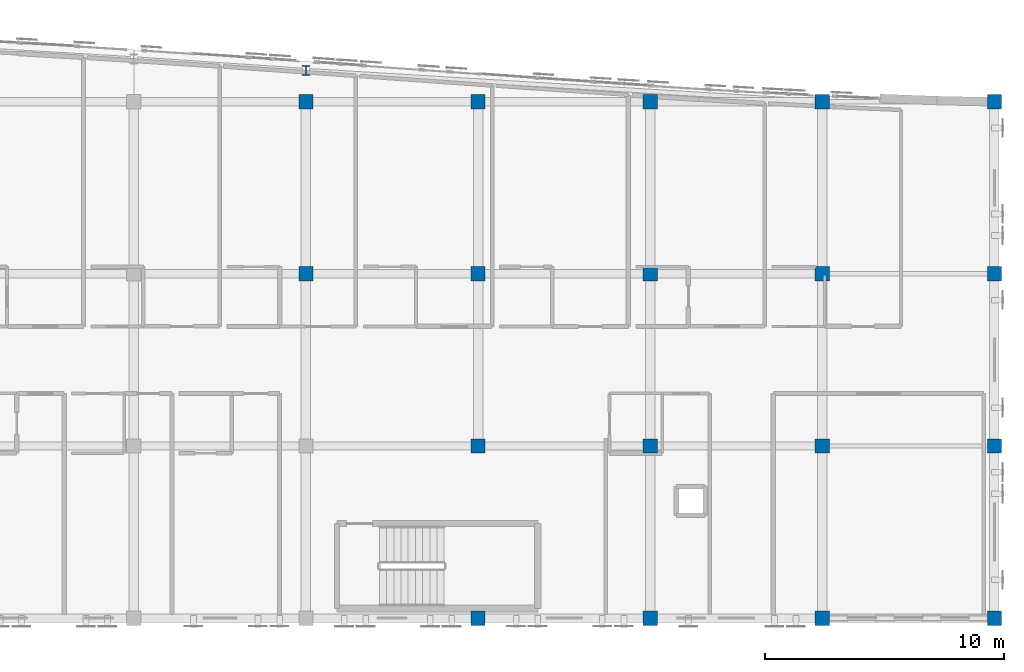
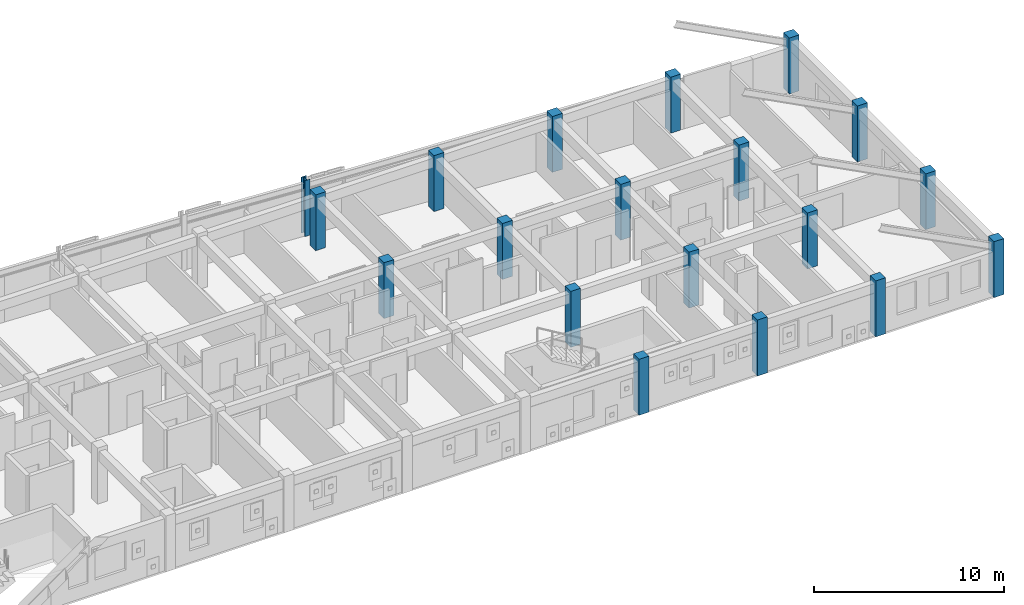
# One storey, part 4 of 51: 19 columns.
"""IFC4 building model written with IfcOpenShell, lengths in metres."""

from ifc_helpers import new_model, si_unit, direction, frame, origin, origin_2d, place, context, subcontext, project, spatial, rectangle, i_section, extrude, material, material_profile, profile_set, type_object, element, save


model = new_model("IFC4")

# Units and contexts
model_context = context("Model", 3, precision=1e-05, world=origin(), true_north=direction((0.0, 1.0)))
body_context = subcontext(model_context, "Body", "Model", "MODEL_VIEW")
ifc_project = project(units=[si_unit("LENGTHUNIT", "METRE"), si_unit("AREAUNIT", "SQUARE_METRE"), si_unit("VOLUMEUNIT", "CUBIC_METRE"), si_unit("PLANEANGLEUNIT", "RADIAN"), si_unit("MASSUNIT", "GRAM", prefix="KILO")], contexts=[model_context])

# Site, building, storey
site_placement = place(None, origin())
site = spatial("IfcSite", under=ifc_project, at=site_placement, CompositionType="ELEMENT")
building_placement = place(site_placement, origin())
building = spatial("IfcBuilding", under=site, at=building_placement, Name="Carrowvane Square Congress Hotel", CompositionType="ELEMENT")
storey_placement = place(building_placement, frame((0.0, 0.0, 30.0)))
storey = spatial("IfcBuildingStorey", under=building, at=storey_placement, Name="L07", CompositionType="ELEMENT", Elevation=30.0)

# Columns
ifc_material_1 = material(Name="Concrete C40/50", Category="concrete")
ifc_material_profile_1 = material_profile(ifc_material_1, rectangle(XDim=0.60009765625, YDim=0.60009765625, at=origin_2d()), Name="RC 600x600")
ifc_profile_set_1 = profile_set([ifc_material_profile_1], Name="Concrete C40/50")
column_type_1 = type_object("IfcColumnType", Name="COL-RC-600", PredefinedType="COLUMN", material=ifc_profile_set_1)
for number, where, z_axis, x_axis, name in (
    (1, (134.0, 106.199951171875, 0.0), (0.0, 0.0, 1.0), (1.0, 0.0, 0.0), "L07 column 18/Q"),
    (2, (134.0, 113.39990234375, 0.0), (0.0, 0.0, 1.0), (1.0, 0.0, 0.0), "L07 column 18/R"),
    (3, (141.199951171875, 91.800048828125, 0.0), (0.0, 0.0, 1.0), (1.0, 0.0, 0.0), "L07 column 19/N"),
    (4, (141.199951171875, 99.0, 0.0), (0.0, 0.0, 1.0), (1.0, 0.0, 0.0), "L07 column 19/P"),
    (5, (141.199951171875, 106.199951171875, 0.0), (0.0, 0.0, 1.0), (1.0, 0.0, 0.0), "L07 column 19/Q"),
    (6, (141.199951171875, 113.39990234375, 0.0), (0.0, 0.0, 1.0), (1.0, 0.0, 0.0), "L07 column 19/R"),
    (7, (148.39990234375, 91.800048828125, 0.0), (0.0, 0.0, 1.0), (1.0, 0.0, 0.0), "L07 column 20/N"),
    (8, (148.39990234375, 99.0, 0.0), (0.0, 0.0, 1.0), (1.0, 0.0, 0.0), "L07 column 20/P"),
    (9, (148.39990234375, 106.199951171875, 0.0), (0.0, 0.0, 1.0), (1.0, 0.0, 0.0), "L07 column 20/Q"),
    (10, (148.39990234375, 113.39990234375, 0.0), (0.0, 0.0, 1.0), (1.0, 0.0, 0.0), "L07 column 20/R"),
    (11, (155.60009765625, 91.800048828125, 0.0), (0.0, 0.0, 1.0), (1.0, 0.0, 0.0), "L07 column 21/N"),
    (12, (155.60009765625, 99.0, 0.0), (0.0, 0.0, 1.0), (1.0, 0.0, 0.0), "L07 column 21/P"),
    (13, (155.60009765625, 106.199951171875, 0.0), (0.0, 0.0, 1.0), (1.0, 0.0, 0.0), "L07 column 21/Q"),
    (14, (155.60009765625, 113.39990234375, 0.0), (0.0, 0.0, 1.0), (1.0, 0.0, 0.0), "L07 column 21/R"),
    (15, (162.800048828125, 91.800048828125, 0.0), (0.0, 0.0, 1.0), (1.0, 0.0, 0.0), "L07 column 22/N"),
    (16, (162.800048828125, 99.0, 0.0), (0.0, 0.0, 1.0), (1.0, 0.0, 0.0), "L07 column 22/P"),
    (17, (162.800048828125, 106.199951171875, 0.0), (0.0, 0.0, 1.0), (1.0, 0.0, 0.0), "L07 column 22/Q"),
    (18, (162.800048828125, 113.39990234375, 0.0), (0.0, 0.0, 1.0), (1.0, 0.0, 0.0), "L07 column 22/R"),
):
    element("IfcColumn", number, at=place(storey_placement, frame(where, z_axis=z_axis, x_axis=x_axis)), inside=storey, type_object=column_type_1, Name=name, PredefinedType="COLUMN", context=body_context, shape_type="SweptSolid", body=[
        extrude(rectangle(XDim=0.60009765625, YDim=0.60009765625, at=origin_2d()), origin(), (0.0, 0.0, 1.0), 3.60009765625),
    ])
ifc_material_2 = material(Name="Steel S355", Category="steel")
ifc_material_profile_2 = material_profile(ifc_material_2, i_section(OverallWidth=0.300048828125, OverallDepth=0.39990234375, WebThickness=0.013427734375, FlangeThickness=0.02392578125, FilletRadius=0.027099609375, at=origin_2d()), Name="HEB 400")
ifc_profile_set_2 = profile_set([ifc_material_profile_2], Name="Steel S355")
column_type_2 = type_object("IfcColumnType", Name="COL-ST-HEB400", PredefinedType="COLUMN", material=ifc_profile_set_2)
column_placement = place(storey_placement, frame((134.0, 114.7060546875, 0.0), z_axis=(0.0, 0.0, 1.0), x_axis=(1.0, 0.0, 0.0)))
element("IfcColumn", 19, at=column_placement, inside=storey, type_object=column_type_2, Name="L07 column 18/ARC", PredefinedType="COLUMN", context=body_context, shape_type="SweptSolid", body=[
    extrude(i_section(OverallWidth=0.300048828125, OverallDepth=0.39990234375, WebThickness=0.013427734375, FlangeThickness=0.02392578125, FilletRadius=0.027099609375, at=origin_2d()), origin(), (0.0, 0.0, 1.0), 3.60009765625),
])

save(model, "model.ifc")
